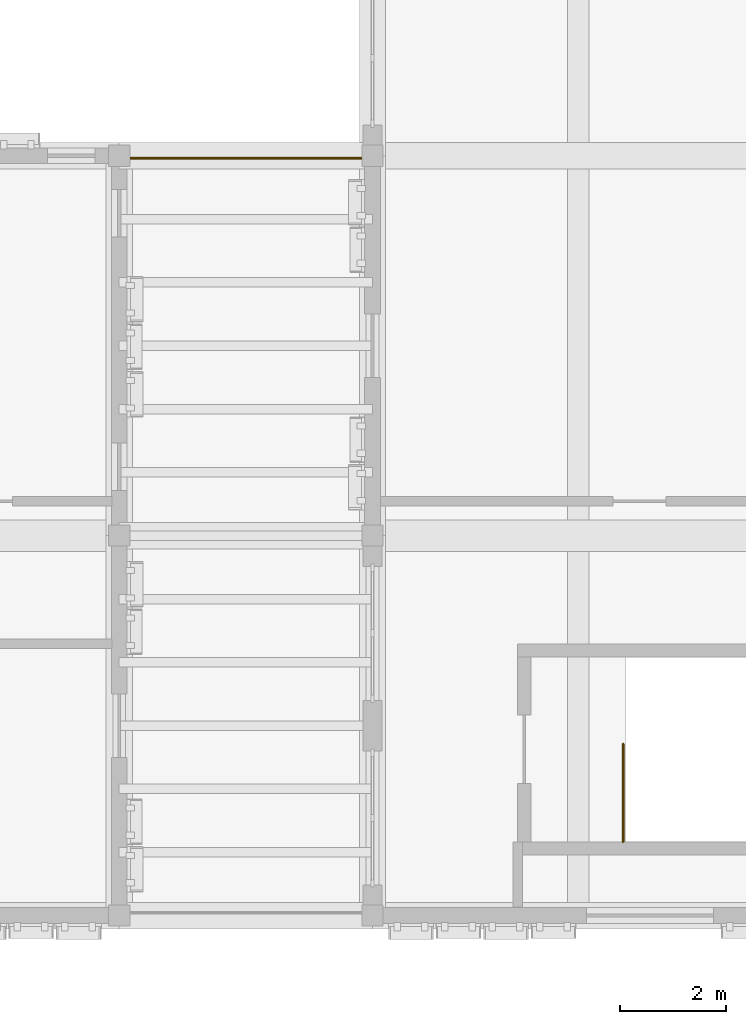
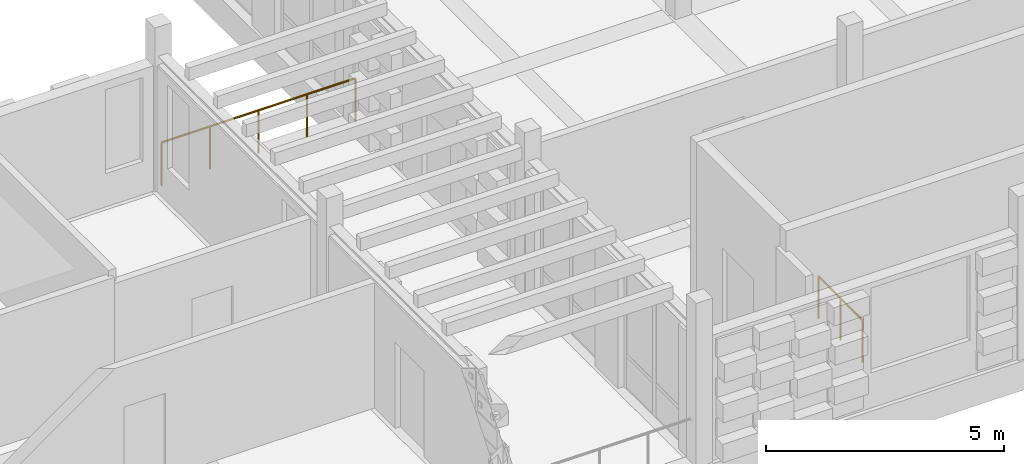
# One storey, part 94 of 99: 2 railings.
"""IFC4 building model written with IfcOpenShell, lengths in metres."""

from ifc_helpers import new_model, si_unit, direction, frame, origin, origin_2d, place, context, subcontext, project, spatial, circle, extrude, material, type_object, element, save


model = new_model("IFC4")

# Units and contexts
model_context = context("Model", 3, precision=1e-05, world=origin(), true_north=direction((0.0, 1.0)))
body_context = subcontext(model_context, "Body", "Model", "MODEL_VIEW")
ifc_project = project(units=[si_unit("LENGTHUNIT", "METRE"), si_unit("AREAUNIT", "SQUARE_METRE"), si_unit("VOLUMEUNIT", "CUBIC_METRE"), si_unit("PLANEANGLEUNIT", "RADIAN"), si_unit("MASSUNIT", "GRAM", prefix="KILO")], contexts=[model_context])

# Site, building, storey
site_placement = place(None, origin())
site = spatial("IfcSite", under=ifc_project, at=site_placement, CompositionType="ELEMENT")
building_placement = place(site_placement, origin())
building = spatial("IfcBuilding", under=site, at=building_placement, Name="Kahlenmark Community Centre", CompositionType="ELEMENT")
storey_placement = place(building_placement, frame((0.0, 0.0, 5.39990234375)))
storey = spatial("IfcBuildingStorey", under=building, at=storey_placement, Name="L01", CompositionType="ELEMENT", Elevation=5.39990234375)

# Railings
ifc_material_1 = material(Name="Powder-coated galvanized steel balustrade", Category="steel")
railing_type_1 = type_object("IfcRailingType", Name="RLT-BAL-1120", PredefinedType="BALUSTRADE", material=ifc_material_1)
railing_1_placement = place(storey_placement, frame((116.85009765625, 23.14990234375, 0.0)))
element("IfcRailing", 1, at=railing_1_placement, inside=storey, type_object=railing_type_1, Name="Balustrade guard L01-007", PredefinedType="BALUSTRADE", context=body_context, shape_type="SweptSolid", body=[
    extrude(circle(Radius=0.02392578125, at=origin_2d()), frame((0.0, 0.0, 1.09619140625), z_axis=(1.0, 0.0, 0.0), x_axis=(0.0, 1.0, 0.0)), (0.0, 0.0, 1.0), 4.699951171875),
    extrude(circle(Radius=0.02099609375, at=origin_2d()), origin(), (0.0, 0.0, 1.0), 1.072021484375),
    extrude(circle(Radius=0.02099609375, at=origin_2d()), frame((1.175048828125, 0.0, 0.0)), (0.0, 0.0, 1.0), 1.072021484375),
    extrude(circle(Radius=0.02099609375, at=origin_2d()), frame((2.35009765625, 0.0, 0.0)), (0.0, 0.0, 1.0), 1.072021484375),
    extrude(circle(Radius=0.02099609375, at=origin_2d()), frame((3.52490234375, 0.0, 0.0)), (0.0, 0.0, 1.0), 1.072021484375),
    extrude(circle(Radius=0.02099609375, at=origin_2d()), frame((4.699951171875, 0.0, 0.0)), (0.0, 0.0, 1.0), 1.072021484375),
])
ifc_material_2 = material(Name="Powder-coated steel stair well guard", Category="steel")
railing_type_2 = type_object("IfcRailingType", Name="RLT-SG-1120", PredefinedType="GUARDRAIL", material=ifc_material_2)
railing_2_placement = place(storey_placement, frame((126.35009765625, 10.199951171875, 0.0)))
element("IfcRailing", 2, at=railing_2_placement, inside=storey, type_object=railing_type_2, Name="L01 ST-08 top well guard 1", PredefinedType="GUARDRAIL", context=body_context, shape_type="SweptSolid", body=[
    extrude(circle(Radius=0.02392578125, at=origin_2d()), frame((0.0, 0.0, 1.076171875), z_axis=(0.0, 1.0, 0.0), x_axis=(-1.0, 0.0, 0.0)), (0.0, 0.0, 1.0), 1.85009765625),
    extrude(circle(Radius=0.02099609375, at=origin_2d()), origin(), (0.0, 0.0, 1.0), 1.052001953125),
    extrude(circle(Radius=0.02099609375, at=origin_2d()), frame((0.0, 0.925048828125, 0.0)), (0.0, 0.0, 1.0), 1.052001953125),
    extrude(circle(Radius=0.02099609375, at=origin_2d()), frame((0.0, 1.85009765625, 0.0)), (0.0, 0.0, 1.0), 1.052001953125),
])

save(model, "model.ifc")
